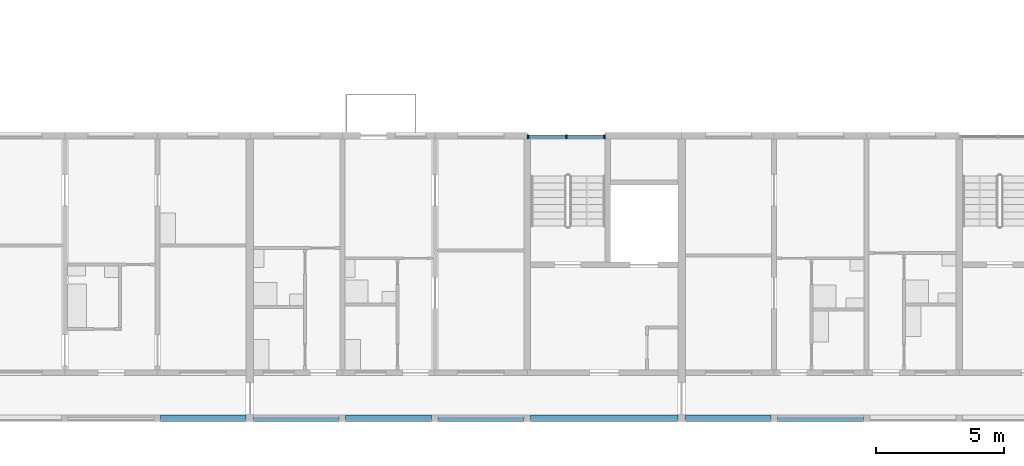
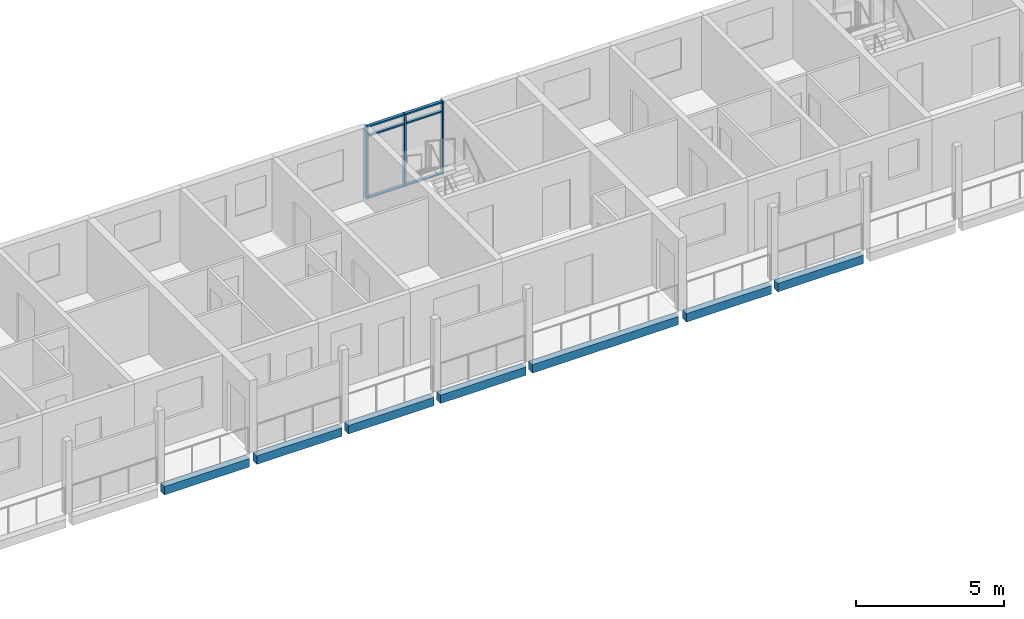
# One storey, part 14 of 93: 9 members, 7 beams, 1 element without a shape of its own.
"""IFC4 building model written with IfcOpenShell, lengths in metres."""

from ifc_helpers import new_model, si_unit, direction, frame, origin, origin_2d, place, context, subcontext, project, spatial, rectangle, extrude, material, material_profile, profile_set, type_object, element, aggregate, save


model = new_model("IFC4")

# Units and contexts
model_context = context("Model", 3, precision=1e-05, world=origin(), true_north=direction((0.0, 1.0)))
body_context = subcontext(model_context, "Body", "Model", "MODEL_VIEW")
ifc_project = project(units=[si_unit("LENGTHUNIT", "METRE"), si_unit("AREAUNIT", "SQUARE_METRE"), si_unit("VOLUMEUNIT", "CUBIC_METRE"), si_unit("PLANEANGLEUNIT", "RADIAN"), si_unit("MASSUNIT", "GRAM", prefix="KILO")], contexts=[model_context])

# Site, building, storey
site_placement = place(None, origin())
site = spatial("IfcSite", under=ifc_project, at=site_placement, CompositionType="ELEMENT")
building_placement = place(site_placement, origin())
building = spatial("IfcBuilding", under=site, at=building_placement, Name="Ridgestep Commons", CompositionType="ELEMENT")
storey_placement = place(building_placement, frame((0.0, 0.0, 18.0)))
storey = spatial("IfcBuildingStorey", under=building, at=storey_placement, Name="L06", CompositionType="ELEMENT", Elevation=18.0)

# Beams
ifc_material_1 = material(Name="Precast concrete C40/50", Category="concrete")
ifc_material_profile_1 = material_profile(ifc_material_1, rectangle(XDim=0.25, YDim=0.35009765625, at=origin_2d()), Name="PC 250x350")
ifc_profile_set_1 = profile_set([ifc_material_profile_1], Name="Precast concrete C40/50")
beam_type = type_object("IfcBeamType", Name="Loggia edge beam 250 x 350", PredefinedType="SPANDREL", material=ifc_profile_set_1)
for number, where, z_axis, x_axis, name in (
    (1, (176.925048828125, 11.875, -0.375), (1.0, 0.0, 0.0), (0.0, 1.0, 0.0), "Loggia edge beam D2T1 L06"),
    (2, (180.550048828125, 11.875, -0.375), (1.0, 0.0, 0.0), (0.0, 1.0, 0.0), "Loggia edge beam D3T1 L06"),
):
    element("IfcBeam", number, at=place(storey_placement, frame(where, z_axis=z_axis, x_axis=x_axis)), inside=storey, type_object=beam_type, Name=name, PredefinedType="SPANDREL", context=body_context, shape_type="SweptSolid", body=[
        extrude(rectangle(XDim=0.25, YDim=0.35009765625, at=origin_2d()), origin(), (0.0, 0.0, 1.0), 3.324951171875),
    ])
beam_1_placement = place(storey_placement, frame((184.125, 11.875, -0.375), z_axis=(1.0, 0.0, 0.0), x_axis=(0.0, 1.0, 0.0)))
element("IfcBeam", 3, at=beam_1_placement, inside=storey, type_object=beam_type, Name="Loggia edge beam D3T2 L06", PredefinedType="SPANDREL", context=body_context, shape_type="SweptSolid", body=[
    extrude(rectangle(XDim=0.25, YDim=0.35009765625, at=origin_2d()), origin(), (0.0, 0.0, 1.0), 3.35009765625),
])
beam_2_placement = place(storey_placement, frame((187.72509765625, 11.875, -0.375), z_axis=(1.0, 0.0, 0.0), x_axis=(0.0, 1.0, 0.0)))
element("IfcBeam", 4, at=beam_2_placement, inside=storey, type_object=beam_type, Name="Loggia edge beam D3T3 L06", PredefinedType="SPANDREL", context=body_context, shape_type="SweptSolid", body=[
    extrude(rectangle(XDim=0.25, YDim=0.35009765625, at=origin_2d()), origin(), (0.0, 0.0, 1.0), 3.349853515625),
])
beam_3_placement = place(storey_placement, frame((191.324951171875, 11.875, -0.375), z_axis=(1.0, 0.0, 0.0), x_axis=(0.0, 1.0, 0.0)))
element("IfcBeam", 5, at=beam_3_placement, inside=storey, type_object=beam_type, Name="Loggia edge beam D3C L06", PredefinedType="SPANDREL", context=body_context, shape_type="SweptSolid", body=[
    extrude(rectangle(XDim=0.25, YDim=0.35009765625, at=origin_2d()), origin(), (0.0, 0.0, 1.0), 5.72509765625),
])
beam_4_placement = place(storey_placement, frame((197.35009765625, 11.875, -0.375), z_axis=(1.0, 0.0, 0.0), x_axis=(0.0, 1.0, 0.0)))
element("IfcBeam", 6, at=beam_4_placement, inside=storey, type_object=beam_type, Name="Loggia edge beam D4T1 L06", PredefinedType="SPANDREL", context=body_context, shape_type="SweptSolid", body=[
    extrude(rectangle(XDim=0.25, YDim=0.35009765625, at=origin_2d()), origin(), (0.0, 0.0, 1.0), 3.324951171875),
])
beam_5_placement = place(storey_placement, frame((200.925048828125, 11.875, -0.375), z_axis=(1.0, 0.0, 0.0), x_axis=(0.0, 1.0, 0.0)))
element("IfcBeam", 7, at=beam_5_placement, inside=storey, type_object=beam_type, Name="Loggia edge beam D4T2 L06", PredefinedType="SPANDREL", context=body_context, shape_type="SweptSolid", body=[
    extrude(rectangle(XDim=0.25, YDim=0.35009765625, at=origin_2d()), origin(), (0.0, 0.0, 1.0), 3.349853515625),
])

# Curtain wall, members
ifc_material_2 = material(Name="Aluminium 6063-T6 and glass", Category="aluminium")
curtain_wall_type = type_object("IfcCurtainWallType", Name="Curtain wall stair strip", PredefinedType="NOTDEFINED", material=ifc_material_2)
curtain_wall_placement = place(storey_placement, origin())
curtain_wall = element("IfcCurtainWall", 8, at=curtain_wall_placement, inside=storey, type_object=curtain_wall_type, Name="Curtain wall D3C level 06", PredefinedType="NOTDEFINED")
ifc_material_3 = material(Name="Aluminium 6063-T6", Category="aluminium")
ifc_material_profile_2 = material_profile(ifc_material_3, rectangle(XDim=0.159912109375, YDim=0.06005859375, at=origin_2d()), Name="Mullion 60 x 160")
ifc_profile_set_2 = profile_set([ifc_material_profile_2], Name="Aluminium 6063-T6")
member_type_1 = type_object("IfcMemberType", Name="Mullion 60 x 160", PredefinedType="MULLION", material=ifc_profile_set_2)
member_1_placement = place(storey_placement, frame((191.22998046875, 22.830078125, 0.0), z_axis=(0.0, 0.0, 1.0), x_axis=(0.0, 1.0, 0.0)))
member_1 = element("IfcMember", 9, at=member_1_placement, type_object=member_type_1, Name="CW1 mullion 1", PredefinedType="MULLION", context=body_context, shape_type="SweptSolid", body=[
    extrude(rectangle(XDim=0.159912109375, YDim=0.06005859375, at=origin_2d()), origin(), (0.0, 0.0, 1.0), 3.0),
])
member_2_placement = place(storey_placement, frame((192.71240234375, 22.830078125, 0.0), z_axis=(0.0, 0.0, 1.0), x_axis=(0.0, 1.0, 0.0)))
member_2 = element("IfcMember", 10, at=member_2_placement, type_object=member_type_1, Name="CW1 mullion 2", PredefinedType="MULLION", context=body_context, shape_type="SweptSolid", body=[
    extrude(rectangle(XDim=0.159912109375, YDim=0.06005859375, at=origin_2d()), origin(), (0.0, 0.0, 1.0), 3.0),
])
member_3_placement = place(storey_placement, frame((194.195068359375, 22.830078125, 0.0), z_axis=(0.0, 0.0, 1.0), x_axis=(0.0, 1.0, 0.0)))
member_3 = element("IfcMember", 11, at=member_3_placement, type_object=member_type_1, Name="CW1 mullion 3", PredefinedType="MULLION", context=body_context, shape_type="SweptSolid", body=[
    extrude(rectangle(XDim=0.159912109375, YDim=0.06005859375, at=origin_2d()), origin(), (0.0, 0.0, 1.0), 3.0),
])
ifc_material_4 = material(Name="Aluminium 6063-T6", Category="aluminium")
ifc_material_profile_3 = material_profile(ifc_material_4, rectangle(XDim=0.1201171875, YDim=0.06005859375, at=origin_2d()), Name="Transom 60 x 120")
ifc_profile_set_3 = profile_set([ifc_material_profile_3], Name="Aluminium 6063-T6")
member_type_2 = type_object("IfcMemberType", Name="Transom 60 x 120", PredefinedType="USERDEFINED", material=ifc_profile_set_3)
member_4_placement = place(storey_placement, frame((191.260009765625, 22.830078125, 0.030029296875), z_axis=(1.0, 0.0, 0.0), x_axis=(0.0, 1.0, 0.0)))
member_4 = element("IfcMember", 12, at=member_4_placement, type_object=member_type_2, Name="CW1 transom 1.1", ObjectType="TRANSOM", PredefinedType="USERDEFINED", context=body_context, shape_type="SweptSolid", body=[
    extrude(rectangle(XDim=0.1201171875, YDim=0.06005859375, at=origin_2d()), origin(), (0.0, 0.0, 1.0), 1.422607421875),
])
member_5_placement = place(storey_placement, frame((191.260009765625, 22.830078125, 2.590087890625), z_axis=(1.0, 0.0, 0.0), x_axis=(0.0, 1.0, 0.0)))
member_5 = element("IfcMember", 13, at=member_5_placement, type_object=member_type_2, Name="CW1 transom 1.2", ObjectType="TRANSOM", PredefinedType="USERDEFINED", context=body_context, shape_type="SweptSolid", body=[
    extrude(rectangle(XDim=0.1201171875, YDim=0.06005859375, at=origin_2d()), origin(), (0.0, 0.0, 1.0), 1.422607421875),
])
member_6_placement = place(storey_placement, frame((191.260009765625, 22.830078125, 2.969970703125), z_axis=(1.0, 0.0, 0.0), x_axis=(0.0, 1.0, 0.0)))
member_6 = element("IfcMember", 14, at=member_6_placement, type_object=member_type_2, Name="CW1 transom 1.3", ObjectType="TRANSOM", PredefinedType="USERDEFINED", context=body_context, shape_type="SweptSolid", body=[
    extrude(rectangle(XDim=0.1201171875, YDim=0.06005859375, at=origin_2d()), origin(), (0.0, 0.0, 1.0), 1.422607421875),
])
member_7_placement = place(storey_placement, frame((192.742431640625, 22.830078125, 0.030029296875), z_axis=(1.0, 0.0, 0.0), x_axis=(0.0, 1.0, 0.0)))
member_7 = element("IfcMember", 15, at=member_7_placement, type_object=member_type_2, Name="CW1 transom 2.1", ObjectType="TRANSOM", PredefinedType="USERDEFINED", context=body_context, shape_type="SweptSolid", body=[
    extrude(rectangle(XDim=0.1201171875, YDim=0.06005859375, at=origin_2d()), origin(), (0.0, 0.0, 1.0), 1.422607421875),
])
member_8_placement = place(storey_placement, frame((192.742431640625, 22.830078125, 2.590087890625), z_axis=(1.0, 0.0, 0.0), x_axis=(0.0, 1.0, 0.0)))
member_8 = element("IfcMember", 16, at=member_8_placement, type_object=member_type_2, Name="CW1 transom 2.2", ObjectType="TRANSOM", PredefinedType="USERDEFINED", context=body_context, shape_type="SweptSolid", body=[
    extrude(rectangle(XDim=0.1201171875, YDim=0.06005859375, at=origin_2d()), origin(), (0.0, 0.0, 1.0), 1.422607421875),
])
member_9_placement = place(storey_placement, frame((192.742431640625, 22.830078125, 2.969970703125), z_axis=(1.0, 0.0, 0.0), x_axis=(0.0, 1.0, 0.0)))
member_9 = element("IfcMember", 17, at=member_9_placement, type_object=member_type_2, Name="CW1 transom 2.3", ObjectType="TRANSOM", PredefinedType="USERDEFINED", context=body_context, shape_type="SweptSolid", body=[
    extrude(rectangle(XDim=0.1201171875, YDim=0.06005859375, at=origin_2d()), origin(), (0.0, 0.0, 1.0), 1.422607421875),
])
aggregate(curtain_wall, [member_1, member_2, member_3, member_4, member_5, member_6, member_7, member_8, member_9])

save(model, "model.ifc")
